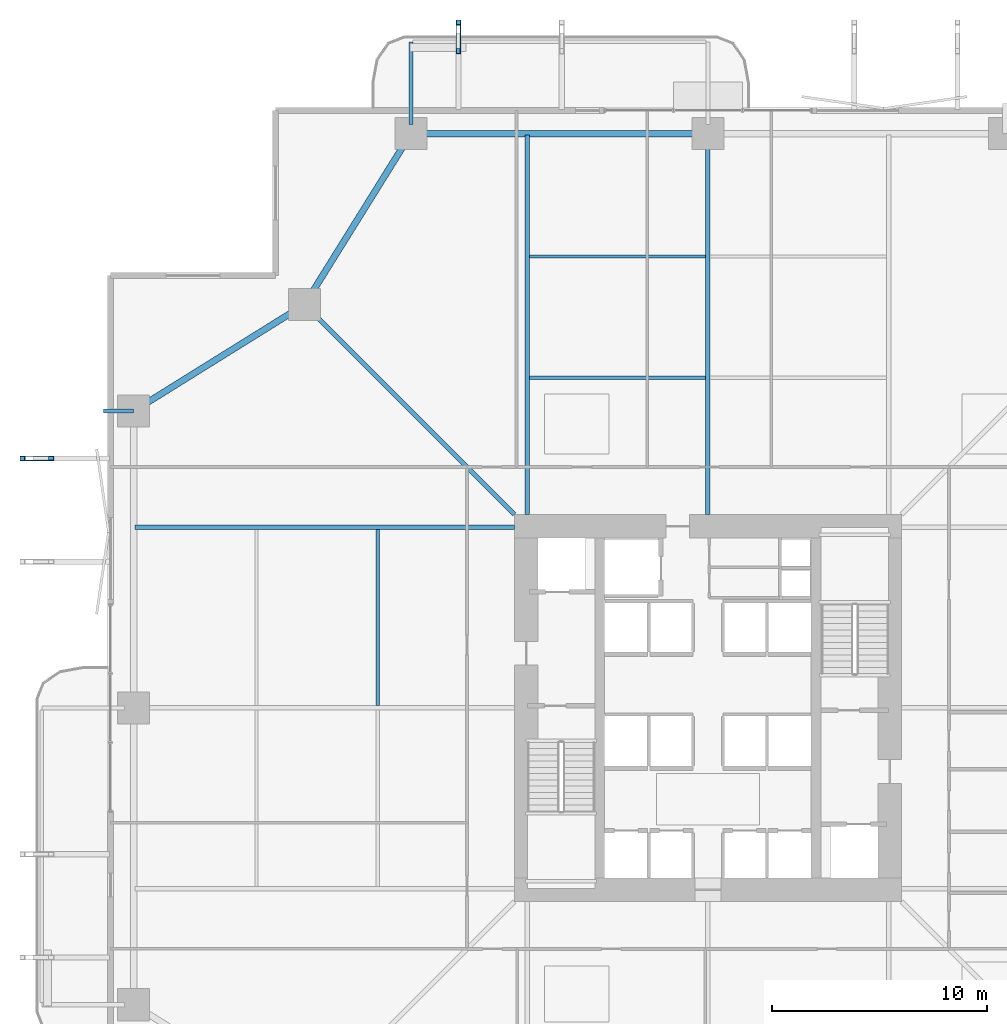
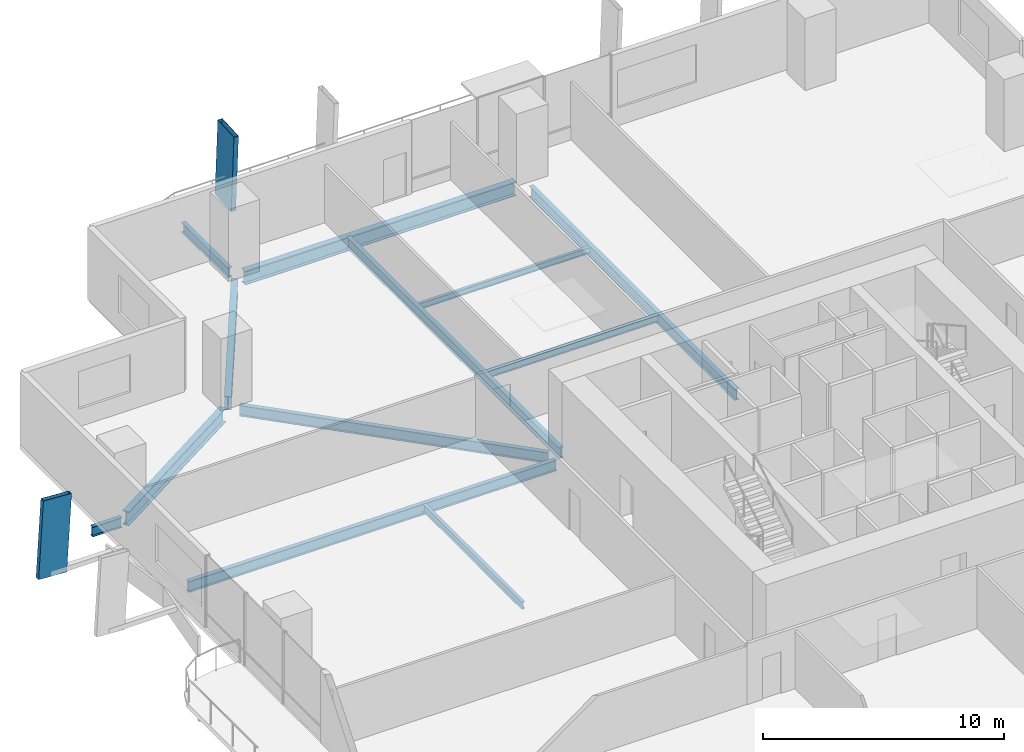
# One storey, part 10 of 24: 12 beams, 2 members.
"""IFC4 building model written with IfcOpenShell, lengths in metres."""

from ifc_helpers import new_model, si_unit, direction, frame, origin, origin_2d, place, context, subcontext, project, spatial, hollow_rectangle, i_section, extrude, material, material_profile, profile_set, type_object, element, save


model = new_model("IFC4")

# Units and contexts
model_context = context("Model", 3, precision=1e-05, world=origin(), true_north=direction((0.0, 1.0)))
body_context = subcontext(model_context, "Body", "Model", "MODEL_VIEW")
ifc_project = project(units=[si_unit("LENGTHUNIT", "METRE"), si_unit("AREAUNIT", "SQUARE_METRE"), si_unit("VOLUMEUNIT", "CUBIC_METRE"), si_unit("PLANEANGLEUNIT", "RADIAN"), si_unit("MASSUNIT", "GRAM", prefix="KILO")], contexts=[model_context])

# Site, building, storey
site_placement = place(None, origin())
site = spatial("IfcSite", under=ifc_project, at=site_placement, CompositionType="ELEMENT")
building_placement = place(site_placement, origin())
building = spatial("IfcBuilding", under=site, at=building_placement, Name="Belovzor Exchange Tower", CompositionType="ELEMENT")
storey_placement = place(building_placement, frame((0.0, 0.0, 33.89990234375)))
storey = spatial("IfcBuildingStorey", under=building, at=storey_placement, Name="L07", CompositionType="ELEMENT", Elevation=33.89990234375)

# Members
ifc_material_1 = material(Name="Extruded Architectural Terracotta on Steel S355 Carrier", Category="masonry")
ifc_material_profile_1 = material_profile(ifc_material_1, hollow_rectangle(XDim=0.219970703125, YDim=1.35009765625, WallThickness=0.013916015625, at=origin_2d()))
ifc_profile_set_1 = profile_set([ifc_material_profile_1], Name="Extruded Architectural Terracotta on Steel S355 Carrier")
member_type = type_object("IfcMemberType", Name="Base Arc Sweeping Terracotta Pylon Fin 1450", PredefinedType="USERDEFINED", material=ifc_profile_set_1)
for number, where, z_axis, x_axis, name in (
    (1, (17.199951171875, 60.10400390625, -0.25), (0.0, -0.059113970154, 0.998251240186), (1.0, 0.0, 0.0), "FIN-TC145 Terracotta Facade Fin L07 N1"),
    (2, (-2.50390625, 40.39990234375, -0.25), (0.059113970154, 0.0, 0.998251240186), (0.0, 1.0, 0.0), "FIN-TC145 Terracotta Facade Fin L07 W4"),
):
    element("IfcMember", number, at=place(storey_placement, frame(where, z_axis=z_axis, x_axis=x_axis)), inside=storey, type_object=member_type, Name=name, ObjectType="FIN", PredefinedType="USERDEFINED", context=body_context, shape_type="SweptSolid", body=[
        extrude(hollow_rectangle(XDim=0.219970703125, YDim=1.35009765625, WallThickness=0.013916015625, at=origin_2d()), origin(), (0.0, 0.0, 1.0), 3.906982421875),
    ])

# Beams
ifc_material_2 = material(Name="Steel S355", Category="steel")
ifc_material_profile_2 = material_profile(ifc_material_2, i_section(OverallWidth=0.199951171875, OverallDepth=0.5, WebThickness=0.01025390625, FlangeThickness=0.01611328125, at=origin_2d()))
ifc_profile_set_2 = profile_set([ifc_material_profile_2], Name="Steel S355")
beam_type_1 = type_object("IfcBeamType", Name="Planted Balcony Cantilever Beam IPE 500", PredefinedType="BEAM", material=ifc_profile_set_2)
beam_1_placement = place(storey_placement, frame((15.0, 55.9130859375, -0.5), z_axis=(0.0, 1.0, 0.0), x_axis=(-1.0, 0.0, 0.0)))
element("IfcBeam", 3, at=beam_1_placement, inside=storey, type_object=beam_type_1, Name="BC-500 Planted Balcony Cantilever Beam IPE 500", PredefinedType="BEAM", context=body_context, shape_type="SweptSolid", body=[
    extrude(i_section(OverallWidth=0.199951171875, OverallDepth=0.5, WebThickness=0.01025390625, FlangeThickness=0.01611328125, at=origin_2d()), origin(), (0.0, 0.0, 1.0), 3.849853515625),
])
beam_2_placement = place(storey_placement, frame((2.10009765625, 42.60009765625, -0.5), z_axis=(-1.0, 0.0, 0.0), x_axis=(0.0, -1.0, 0.0)))
element("IfcBeam", 4, at=beam_2_placement, inside=storey, type_object=beam_type_1, Name="BC-500 Planted Balcony Cantilever Beam IPE 500", PredefinedType="BEAM", context=body_context, shape_type="SweptSolid", body=[
    extrude(i_section(OverallWidth=0.199951171875, OverallDepth=0.5, WebThickness=0.01025390625, FlangeThickness=0.01611328125, at=origin_2d()), origin(), (0.0, 0.0, 1.0), 1.400146484375),
])
ifc_material_3 = material(Name="Steel S355", Category="steel")
ifc_material_profile_3 = material_profile(ifc_material_3, i_section(OverallWidth=0.169921875, OverallDepth=0.360107421875, WebThickness=0.008056640625, FlangeThickness=0.0126953125, at=origin_2d()))
ifc_profile_set_3 = profile_set([ifc_material_profile_3], Name="Steel S355")
beam_type_2 = type_object("IfcBeamType", Name="Secondary Infill Floor Joist IPE 360", PredefinedType="BEAM", material=ifc_profile_set_3)
beam_3_placement = place(storey_placement, frame((20.5048828125, 44.14501953125, -0.429931640625), z_axis=(1.0, 0.0, 0.0), x_axis=(0.0, 1.0, 0.0)))
element("IfcBeam", 5, at=beam_3_placement, inside=storey, type_object=beam_type_2, Name="FJ-360 Secondary Infill Floor Joist IPE 360", PredefinedType="BEAM", context=body_context, shape_type="SweptSolid", body=[
    extrude(i_section(OverallWidth=0.169921875, OverallDepth=0.360107421875, WebThickness=0.008056640625, FlangeThickness=0.0126953125, at=origin_2d()), origin(), (0.0, 0.0, 1.0), 8.190185546875),
])
beam_4_placement = place(storey_placement, frame((13.455078125, 28.905029296875, -0.429931640625), z_axis=(0.0, 1.0, 0.0), x_axis=(-1.0, 0.0, 0.0)))
element("IfcBeam", 6, at=beam_4_placement, inside=storey, type_object=beam_type_2, Name="FJ-360 Secondary Infill Floor Joist IPE 360", PredefinedType="BEAM", context=body_context, shape_type="SweptSolid", body=[
    extrude(i_section(OverallWidth=0.169921875, OverallDepth=0.360107421875, WebThickness=0.008056640625, FlangeThickness=0.0126953125, at=origin_2d()), origin(), (0.0, 0.0, 1.0), 8.18994140625),
])
ifc_material_4 = material(Name="Steel S355", Category="steel")
ifc_material_profile_4 = material_profile(ifc_material_4, i_section(OverallWidth=0.14990234375, OverallDepth=0.300048828125, WebThickness=0.007080078125, FlangeThickness=0.0107421875, at=origin_2d()))
ifc_profile_set_4 = profile_set([ifc_material_profile_4], Name="Steel S355")
beam_type_3 = type_object("IfcBeamType", Name="Secondary Trim Floor Joist IPE 300", PredefinedType="BEAM", material=ifc_profile_set_4)
beam_5_placement = place(storey_placement, frame((20.5048828125, 49.784912109375, -0.39990234375), z_axis=(1.0, 0.0, 0.0), x_axis=(0.0, 1.0, 0.0)))
element("IfcBeam", 7, at=beam_5_placement, inside=storey, type_object=beam_type_3, Name="FJ-300 Secondary Trim Floor Joist IPE 300", PredefinedType="BEAM", context=body_context, shape_type="SweptSolid", body=[
    extrude(i_section(OverallWidth=0.14990234375, OverallDepth=0.300048828125, WebThickness=0.007080078125, FlangeThickness=0.0107421875, at=origin_2d()), origin(), (0.0, 0.0, 1.0), 8.190185546875),
])
ifc_material_5 = material(Name="Steel S355", Category="steel")
ifc_material_profile_5 = material_profile(ifc_material_5, i_section(OverallWidth=0.300048828125, OverallDepth=0.699951171875, WebThickness=0.01708984375, FlangeThickness=0.031982421875, at=origin_2d()))
ifc_profile_set_5 = profile_set([ifc_material_profile_5], Name="Steel S355")
beam_type_4 = type_object("IfcBeamType", Name="Zone 1 Primary Perimeter Girder HEB 700", PredefinedType="BEAM", material=ifc_profile_set_5)
beam_6_placement = place(storey_placement, frame((28.386962890625, 55.5, -0.599853515625), z_axis=(-1.0, 0.0, 0.0), x_axis=(0.0, -1.0, 0.0)))
element("IfcBeam", 8, at=beam_6_placement, inside=storey, type_object=beam_type_4, Name="FG-Z1 Zone 1 Primary Perimeter Girder HEB 700", PredefinedType="BEAM", context=body_context, shape_type="SweptSolid", body=[
    extrude(i_section(OverallWidth=0.300048828125, OverallDepth=0.699951171875, WebThickness=0.01708984375, FlangeThickness=0.031982421875, at=origin_2d()), origin(), (0.0, 0.0, 1.0), 12.974853515625),
])
for number, where, z_axis, x_axis, name in (
    (9, (14.781982421875, 55.14990234375, -0.599853515625), (-0.528538629686, -0.848909251292, 0.0), (0.848909251292, -0.528538629686, 0.0), "FG-Z1 Zone 1 Primary Perimeter Girder HEB 700"),
    (10, (9.699951171875, 47.33203125, -0.599853515625), (-0.848909251292, -0.528538629686, 0.0), (0.528538629686, -0.848909251292, 0.0), "FG-Z1 Zone 1 Primary Perimeter Girder HEB 700"),
):
    element("IfcBeam", number, at=place(storey_placement, frame(where, z_axis=z_axis, x_axis=x_axis)), inside=storey, type_object=beam_type_4, Name=name, PredefinedType="BEAM", context=body_context, shape_type="SweptSolid", body=[
        extrude(i_section(OverallWidth=0.300048828125, OverallDepth=0.699951171875, WebThickness=0.01708984375, FlangeThickness=0.031982421875, at=origin_2d()), origin(), (0.0, 0.0, 1.0), 8.540283203125),
    ])
ifc_material_6 = material(Name="Steel S355", Category="steel")
ifc_material_profile_6 = material_profile(ifc_material_6, i_section(OverallWidth=0.2099609375, OverallDepth=0.550048828125, WebThickness=0.010986328125, FlangeThickness=0.01708984375, at=origin_2d()))
ifc_profile_set_6 = profile_set([ifc_material_profile_6], Name="Steel S355")
beam_type_5 = type_object("IfcBeamType", Name="Zone 1 Radial Composite Floor Beam IPE 550", PredefinedType="BEAM", material=ifc_profile_set_6)
beam_7_placement = place(storey_placement, frame((20.39990234375, 37.800048828125, -0.52490234375), z_axis=(0.0, 1.0, 0.0), x_axis=(-1.0, 0.0, 0.0)))
element("IfcBeam", 11, at=beam_7_placement, inside=storey, type_object=beam_type_5, Name="FB-550 Zone 1 Radial Composite Floor Beam IPE 550", PredefinedType="BEAM", context=body_context, shape_type="SweptSolid", body=[
    extrude(i_section(OverallWidth=0.2099609375, OverallDepth=0.550048828125, WebThickness=0.010986328125, FlangeThickness=0.01708984375, at=origin_2d()), origin(), (0.0, 0.0, 1.0), 17.625),
])
beam_8_placement = place(storey_placement, frame((28.800048828125, 37.800048828125, -0.52490234375), z_axis=(0.0, 1.0, 0.0), x_axis=(-1.0, 0.0, 0.0)))
element("IfcBeam", 12, at=beam_8_placement, inside=storey, type_object=beam_type_5, Name="FB-550 Zone 1 Radial Composite Floor Beam IPE 550", PredefinedType="BEAM", context=body_context, shape_type="SweptSolid", body=[
    extrude(i_section(OverallWidth=0.2099609375, OverallDepth=0.550048828125, WebThickness=0.010986328125, FlangeThickness=0.01708984375, at=origin_2d()), origin(), (0.0, 0.0, 1.0), 17.0400390625),
])
beam_9_placement = place(storey_placement, frame((19.800048828125, 37.199951171875, -0.52490234375), z_axis=(-1.0, 0.0, 0.0), x_axis=(0.0, -1.0, 0.0)))
element("IfcBeam", 13, at=beam_9_placement, inside=storey, type_object=beam_type_5, Name="FB-550 Zone 1 Radial Composite Floor Beam IPE 550", PredefinedType="BEAM", context=body_context, shape_type="SweptSolid", body=[
    extrude(i_section(OverallWidth=0.2099609375, OverallDepth=0.550048828125, WebThickness=0.010986328125, FlangeThickness=0.01708984375, at=origin_2d()), origin(), (0.0, 0.0, 1.0), 17.625),
])
beam_10_placement = place(storey_placement, frame((19.800048828125, 37.800048828125, -0.52490234375), z_axis=(-0.707106781187, 0.707106781187, 0.0), x_axis=(-0.707106781187, -0.707106781187, 0.0)))
element("IfcBeam", 14, at=beam_10_placement, inside=storey, type_object=beam_type_5, Name="FB-550 Zone 1 Radial Composite Floor Beam IPE 550", PredefinedType="BEAM", context=body_context, shape_type="SweptSolid", body=[
    extrude(i_section(OverallWidth=0.2099609375, OverallDepth=0.550048828125, WebThickness=0.010986328125, FlangeThickness=0.01708984375, at=origin_2d()), origin(), (0.0, 0.0, 1.0), 13.25830078125),
])

save(model, "model.ifc")
